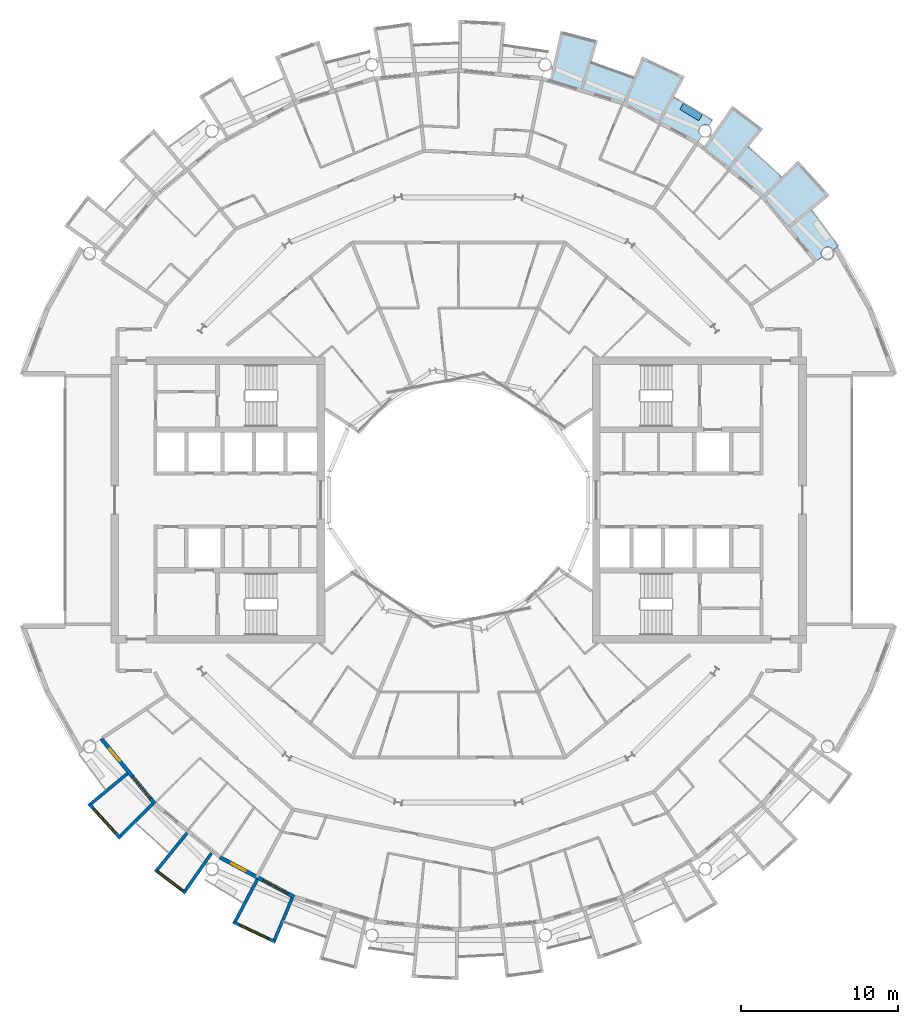
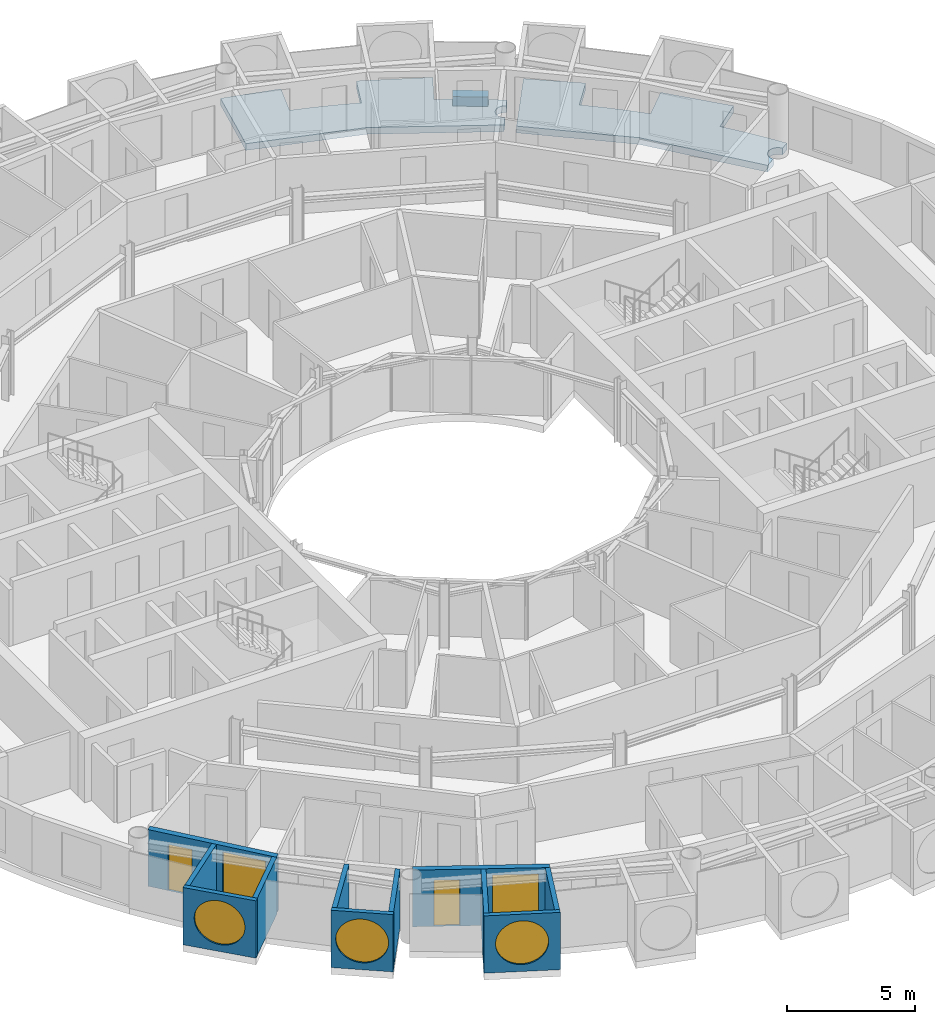
# One storey, part 13 of 28: 11 walls, 5 windows, 3 slabs, 2 doors, 7 openings.
"""IFC4 building model written with IfcOpenShell, lengths in metres."""

from ifc_helpers import new_model, si_unit, direction, frame, frame_2d, origin, place, context, subcontext, project, spatial, polyline, rectangle, circle, outline, extrude, material, layer, layer_set, type_object, element, fill, save


model = new_model("IFC4")

# Units and contexts
model_context = context("Model", 3, precision=1e-05, world=origin(), true_north=direction((0.0, 1.0)))
body_context = subcontext(model_context, "Body", "Model", "MODEL_VIEW")
ifc_project = project(units=[si_unit("LENGTHUNIT", "METRE"), si_unit("AREAUNIT", "SQUARE_METRE"), si_unit("VOLUMEUNIT", "CUBIC_METRE"), si_unit("PLANEANGLEUNIT", "RADIAN"), si_unit("MASSUNIT", "GRAM", prefix="KILO")], contexts=[model_context])

# Site, building, storey
site_placement = place(None, origin())
site = spatial("IfcSite", under=ifc_project, at=site_placement, CompositionType="ELEMENT")
building_placement = place(site_placement, origin())
building = spatial("IfcBuilding", under=site, at=building_placement, Name="Maasbend Ring Residences", CompositionType="ELEMENT")
storey_placement = place(building_placement, frame((0.0, 0.0, 173.800048828125)))
storey = spatial("IfcBuildingStorey", under=building, at=storey_placement, Name="L50", CompositionType="ELEMENT", Elevation=173.800048828125)

# Slabs
ifc_material_1 = material(Name="Planting with climbing greenery")
ifc_layer_1 = layer(ifc_material_1, 0.449951171875)
ifc_layer_set_1 = layer_set([ifc_layer_1], Name="PLANTER-LG")
slab_type_1 = type_object("IfcSlabType", Name="PLANTER-LG", PredefinedType="USERDEFINED", material=ifc_layer_set_1)
slab_1_placement = place(storey_placement, frame((0.0, 0.0, -0.030029296875)))
element("IfcSlab", 1, at=slab_1_placement, inside=storey, type_object=slab_type_1, Name="Planter with climbing greenery 2", ObjectType="PLANTER", PredefinedType="USERDEFINED", context=body_context, shape_type="SweptSolid", body=[
    extrude(outline(polyline([(15.490966796875, 24.48388671875), (14.291015625, 25.2041015625), (14.05908203125, 24.818115234375), (15.260009765625, 24.097900390625), (15.490966796875, 24.48388671875)])), origin(), (0.0, 0.0, 1.0), 0.449951171875),
])
ifc_material_2 = material(Name="Concrete C40/50", Category="concrete")
ifc_layer_2 = layer(ifc_material_2, 0.199951171875)
ifc_layer_set_2 = layer_set([ifc_layer_2], Name="Concrete C40/50")
slab_type_2 = type_object("IfcSlabType", Name="SL-LOGGIA", PredefinedType="FLOOR", material=ifc_layer_set_2)
slab_2_placement = place(storey_placement, frame((0.0, 0.0, -0.35009765625)))
element("IfcSlab", 2, at=slab_2_placement, inside=storey, type_object=slab_type_2, Name="Loggia floor 1", PredefinedType="FLOOR", context=body_context, shape_type="SweptSolid", body=[
    extrude(outline(polyline([(8.85400390625, 29.18701171875), (8.85400390625, 29.18701171875), (8.85400390625, 29.18701171875), (8.41796875, 27.751953125), (8.41796875, 27.751953125), (8.41796875, 27.751953125), (8.41796875, 27.751953125), (8.41796875, 27.751953125), (8.41796875, 27.751953125), (8.41796875, 27.7509765625), (8.41796875, 27.7509765625), (8.41796875, 27.7509765625), (8.41796875, 27.7509765625), (8.41796875, 27.7509765625), (8.4189453125, 27.7509765625), (8.4189453125, 27.7509765625), (8.4189453125, 27.7509765625), (8.4189453125, 27.7509765625), (8.4189453125, 27.7509765625), (8.4189453125, 27.7509765625), (9.322021484375, 27.4609375), (9.322021484375, 27.4609375), (10.215087890625, 27.14111328125), (10.215087890625, 27.14111328125), (11.096923828125, 26.79296875), (11.096923828125, 26.79296875), (11.096923828125, 26.79296875), (11.097900390625, 26.79296875), (11.097900390625, 26.79296875), (11.097900390625, 26.79296875), (11.097900390625, 26.79296875), (11.097900390625, 26.79296875), (11.097900390625, 26.79296875), (11.097900390625, 26.79296875), (11.097900390625, 26.79296875), (11.097900390625, 26.79296875), (11.097900390625, 26.79296875), (11.097900390625, 26.79296875), (11.097900390625, 26.79296875), (11.097900390625, 26.79296875), (11.097900390625, 26.79296875), (11.672119140625, 28.177978515625), (11.672119140625, 28.177978515625), (11.672119140625, 28.177978515625), (14.3779296875, 26.89892578125), (14.3779296875, 26.89892578125), (14.3779296875, 26.89892578125), (13.6708984375, 25.575927734375), (13.6708984375, 25.575927734375), (13.6708984375, 25.575927734375), (13.6708984375, 25.575927734375), (13.6708984375, 25.575927734375), (13.6708984375, 25.575927734375), (13.6708984375, 25.575927734375), (13.6708984375, 25.575927734375), (13.6708984375, 25.575927734375), (13.6708984375, 25.575927734375), (13.6708984375, 25.575927734375), (13.6708984375, 25.575927734375), (13.6708984375, 25.575927734375), (13.6708984375, 25.575927734375), (13.6708984375, 25.575927734375), (13.6708984375, 25.575927734375), (13.6708984375, 25.574951171875), (14.5, 25.114990234375), (14.5, 25.114990234375), (15.31396484375, 24.626953125), (15.31396484375, 24.626953125), (16.112060546875, 24.113037109375), (16.112060546875, 24.113037109375), (16.112060546875, 24.113037109375), (15.89306640625, 23.784912109375), (15.885009765625, 23.791015625), (15.8759765625, 23.7958984375), (15.866943359375, 23.801025390625), (15.85888671875, 23.805908203125), (15.85009765625, 23.81005859375), (15.841064453125, 23.81494140625), (15.83203125, 23.819091796875), (15.822998046875, 23.822998046875), (15.81298828125, 23.826904296875), (15.803955078125, 23.830078125), (15.794921875, 23.8330078125), (15.784912109375, 23.8359375), (15.77587890625, 23.839111328125), (15.76611328125, 23.842041015625), (15.756103515625, 23.843994140625), (15.74609375, 23.845947265625), (15.737060546875, 23.847900390625), (15.72705078125, 23.85009765625), (15.717041015625, 23.85107421875), (15.70703125, 23.85205078125), (15.697021484375, 23.85302734375), (15.68701171875, 23.85302734375), (15.677001953125, 23.85400390625), (15.6669921875, 23.85400390625), (15.656982421875, 23.85400390625), (15.64697265625, 23.85302734375), (15.636962890625, 23.85302734375), (15.626953125, 23.85205078125), (15.616943359375, 23.85107421875), (15.60693359375, 23.85009765625), (15.597900390625, 23.847900390625), (15.587890625, 23.845947265625), (15.577880859375, 23.843994140625), (15.568115234375, 23.842041015625), (15.55908203125, 23.839111328125), (15.549072265625, 23.8359375), (15.5400390625, 23.8330078125), (15.530029296875, 23.830078125), (15.52099609375, 23.826904296875), (15.511962890625, 23.822998046875), (15.501953125, 23.819091796875), (15.492919921875, 23.81494140625), (15.48388671875, 23.81005859375), (15.47509765625, 23.805908203125), (15.467041015625, 23.801025390625), (15.4580078125, 23.7958984375), (15.449951171875, 23.791015625), (15.44091796875, 23.784912109375), (15.43310546875, 23.780029296875), (15.425048828125, 23.77392578125), (15.4169921875, 23.76806640625), (15.408935546875, 23.761962890625), (15.402099609375, 23.7548828125), (15.39404296875, 23.7490234375), (15.386962890625, 23.741943359375), (15.3798828125, 23.735107421875), (15.373046875, 23.72802734375), (15.365966796875, 23.719970703125), (15.35888671875, 23.712890625), (15.35302734375, 23.705078125), (15.346923828125, 23.697021484375), (15.341064453125, 23.68994140625), (15.3349609375, 23.680908203125), (15.3291015625, 23.673095703125), (15.323974609375, 23.6650390625), (15.318115234375, 23.656005859375), (15.31298828125, 23.64794921875), (15.30908203125, 23.638916015625), (15.303955078125, 23.6298828125), (15.300048828125, 23.62109375), (15.294921875, 23.612060546875), (15.2919921875, 23.60302734375), (15.2880859375, 23.593994140625), (15.283935546875, 23.583984375), (15.281005859375, 23.574951171875), (15.278076171875, 23.56494140625), (15.27490234375, 23.555908203125), (15.27294921875, 23.5458984375), (15.27001953125, 23.535888671875), (15.26806640625, 23.527099609375), (15.26708984375, 23.51708984375), (15.264892578125, 23.507080078125), (15.263916015625, 23.4970703125), (15.262939453125, 23.487060546875), (15.261962890625, 23.47705078125), (15.260986328125, 23.467041015625), (15.260986328125, 23.45703125), (15.260986328125, 23.447021484375), (15.260986328125, 23.43701171875), (15.260986328125, 23.427001953125), (15.261962890625, 23.4169921875), (15.262939453125, 23.407958984375), (15.263916015625, 23.39794921875), (15.264892578125, 23.387939453125), (15.26708984375, 23.3779296875), (15.26806640625, 23.367919921875), (15.27001953125, 23.35791015625), (15.27294921875, 23.34912109375), (15.27490234375, 23.339111328125), (15.278076171875, 23.3291015625), (15.281005859375, 23.320068359375), (15.283935546875, 23.31005859375), (15.2880859375, 23.301025390625), (15.2919921875, 23.2919921875), (15.294921875, 23.282958984375), (15.300048828125, 23.27392578125), (15.303955078125, 23.264892578125), (15.30908203125, 23.256103515625), (15.31298828125, 23.2470703125), (15.318115234375, 23.238037109375), (15.323974609375, 23.22998046875), (15.3291015625, 23.221923828125), (15.3349609375, 23.212890625), (15.341064453125, 23.205078125), (15.346923828125, 23.197021484375), (15.35302734375, 23.18994140625), (15.35888671875, 23.181884765625), (15.365966796875, 23.174072265625), (15.373046875, 23.1669921875), (15.3798828125, 23.159912109375), (15.386962890625, 23.153076171875), (15.39404296875, 23.14599609375), (15.402099609375, 23.139892578125), (15.408935546875, 23.133056640625), (15.4169921875, 23.126953125), (15.425048828125, 23.12109375), (15.43310546875, 23.114990234375), (15.44091796875, 23.10888671875), (15.1669921875, 22.698974609375), (15.1669921875, 22.698974609375), (15.1669921875, 22.698974609375), (12.806884765625, 23.9609375), (10.447021484375, 25.221923828125), (10.447021484375, 25.221923828125), (10.447021484375, 25.221923828125), (7.886962890625, 25.9990234375), (5.797119140625, 26.633056640625), (5.797119140625, 26.633056640625), (5.797119140625, 26.633056640625), (6.487060546875, 29.802001953125), (6.487060546875, 29.802001953125), (6.487060546875, 29.802001953125), (8.85400390625, 29.18701171875)])), origin(), (0.0, 0.0, 1.0), 0.320068359375),
])
slab_3_placement = place(storey_placement, frame((0.0, 0.0, -0.35009765625)))
element("IfcSlab", 3, at=slab_3_placement, inside=storey, type_object=slab_type_2, Name="Loggia floor 4", PredefinedType="FLOOR", context=body_context, shape_type="SweptSolid", body=[
    extrude(outline(polyline([(19.34912109375, 23.576904296875), (19.34912109375, 23.576904296875), (19.34912109375, 23.576904296875), (18.39794921875, 22.41796875), (18.39794921875, 22.41796875), (18.39794921875, 22.41796875), (18.39794921875, 22.41796875), (18.39794921875, 22.41796875), (18.39794921875, 22.4169921875), (18.39794921875, 22.4169921875), (18.39794921875, 22.4169921875), (18.39794921875, 22.4169921875), (18.39794921875, 22.4169921875), (18.39794921875, 22.4169921875), (18.39794921875, 22.4169921875), (18.39794921875, 22.4169921875), (18.39794921875, 22.4169921875), (18.39794921875, 22.4169921875), (18.39794921875, 22.4169921875), (18.39794921875, 22.4169921875), (19.12109375, 21.802978515625), (19.12109375, 21.802978515625), (19.823974609375, 21.166015625), (19.823974609375, 21.166015625), (20.506103515625, 20.506103515625), (20.506103515625, 20.506103515625), (20.506103515625, 20.506103515625), (20.506103515625, 20.506103515625), (20.506103515625, 20.506103515625), (20.506103515625, 20.506103515625), (20.506103515625, 20.506103515625), (20.506103515625, 20.506103515625), (20.506103515625, 20.506103515625), (20.506103515625, 20.506103515625), (20.506103515625, 20.506103515625), (20.506103515625, 20.506103515625), (20.506103515625, 20.506103515625), (20.506103515625, 20.506103515625), (20.506103515625, 20.506103515625), (20.506103515625, 20.506103515625), (20.506103515625, 20.506103515625), (21.56689453125, 21.56689453125), (21.56689453125, 21.56689453125), (21.56689453125, 21.56689453125), (23.576904296875, 19.34912109375), (23.576904296875, 19.34912109375), (23.576904296875, 19.34912109375), (22.41796875, 18.39794921875), (22.41796875, 18.39794921875), (22.41796875, 18.39794921875), (22.41796875, 18.39794921875), (22.41796875, 18.39794921875), (22.41796875, 18.39794921875), (22.41796875, 18.39697265625), (22.41796875, 18.39697265625), (22.41796875, 18.39697265625), (22.41796875, 18.39697265625), (22.41796875, 18.39697265625), (22.41796875, 18.39697265625), (22.41796875, 18.39697265625), (22.41796875, 18.39697265625), (22.41796875, 18.39697265625), (22.41796875, 18.39697265625), (22.41796875, 18.39697265625), (23.007080078125, 17.654052734375), (23.007080078125, 17.654052734375), (23.572998046875, 16.89208984375), (23.572998046875, 16.89208984375), (24.113037109375, 16.112060546875), (24.113037109375, 16.112060546875), (24.113037109375, 16.112060546875), (23.784912109375, 15.89306640625), (23.784912109375, 15.89306640625), (23.780029296875, 15.90087890625), (23.77392578125, 15.908935546875), (23.76806640625, 15.9169921875), (23.761962890625, 15.925048828125), (23.7548828125, 15.93310546875), (23.7490234375, 15.93994140625), (23.741943359375, 15.947021484375), (23.735107421875, 15.955078125), (23.72802734375, 15.9619140625), (23.719970703125, 15.968017578125), (23.712890625, 15.97509765625), (23.705078125, 15.98095703125), (23.697021484375, 15.988037109375), (23.68994140625, 15.993896484375), (23.680908203125, 15.9990234375), (23.673095703125, 16.0048828125), (23.6650390625, 16.010986328125), (23.656005859375, 16.01611328125), (23.64794921875, 16.02099609375), (23.638916015625, 16.02587890625), (23.6298828125, 16.030029296875), (23.62109375, 16.034912109375), (23.612060546875, 16.0390625), (23.60302734375, 16.04296875), (23.593994140625, 16.0458984375), (23.583984375, 16.050048828125), (23.574951171875, 16.052978515625), (23.56494140625, 16.055908203125), (23.555908203125, 16.05908203125), (23.5458984375, 16.06103515625), (23.535888671875, 16.06396484375), (23.527099609375, 16.06591796875), (23.51708984375, 16.068115234375), (23.507080078125, 16.069091796875), (23.4970703125, 16.071044921875), (23.487060546875, 16.072021484375), (23.47705078125, 16.072021484375), (23.467041015625, 16.072998046875), (23.45703125, 16.072998046875), (23.447021484375, 16.073974609375), (23.43701171875, 16.072998046875), (23.427001953125, 16.072998046875), (23.4169921875, 16.072021484375), (23.407958984375, 16.072021484375), (23.39794921875, 16.071044921875), (23.387939453125, 16.069091796875), (23.3779296875, 16.068115234375), (23.367919921875, 16.06591796875), (23.35791015625, 16.06396484375), (23.34912109375, 16.06103515625), (23.339111328125, 16.05908203125), (23.3291015625, 16.055908203125), (23.320068359375, 16.052978515625), (23.31005859375, 16.050048828125), (23.301025390625, 16.0458984375), (23.2919921875, 16.04296875), (23.282958984375, 16.0390625), (23.27392578125, 16.034912109375), (23.264892578125, 16.030029296875), (23.256103515625, 16.02587890625), (23.2470703125, 16.02099609375), (23.238037109375, 16.01611328125), (23.22998046875, 16.010986328125), (23.221923828125, 16.0048828125), (23.212890625, 15.9990234375), (23.205078125, 15.993896484375), (23.197021484375, 15.988037109375), (23.18994140625, 15.98095703125), (23.181884765625, 15.97509765625), (23.174072265625, 15.968017578125), (23.1669921875, 15.9619140625), (23.159912109375, 15.955078125), (23.153076171875, 15.947021484375), (23.14599609375, 15.93994140625), (23.139892578125, 15.93310546875), (23.133056640625, 15.925048828125), (23.126953125, 15.9169921875), (23.12109375, 15.908935546875), (23.114990234375, 15.90087890625), (23.10888671875, 15.89306640625), (23.10400390625, 15.885009765625), (23.09912109375, 15.8759765625), (23.093994140625, 15.866943359375), (23.089111328125, 15.85888671875), (23.083984375, 15.85009765625), (23.080078125, 15.841064453125), (23.075927734375, 15.83203125), (23.072021484375, 15.822998046875), (23.068115234375, 15.81298828125), (23.06494140625, 15.803955078125), (23.06103515625, 15.794921875), (23.05810546875, 15.784912109375), (23.055908203125, 15.77587890625), (23.052978515625, 15.76611328125), (23.051025390625, 15.756103515625), (23.049072265625, 15.74609375), (23.047119140625, 15.737060546875), (23.044921875, 15.72705078125), (23.0439453125, 15.717041015625), (23.04296875, 15.70703125), (23.0419921875, 15.697021484375), (23.041015625, 15.68701171875), (23.041015625, 15.677001953125), (23.041015625, 15.6669921875), (23.041015625, 15.656982421875), (23.041015625, 15.64697265625), (23.0419921875, 15.636962890625), (23.04296875, 15.626953125), (23.0439453125, 15.616943359375), (23.044921875, 15.60693359375), (23.047119140625, 15.597900390625), (23.049072265625, 15.587890625), (23.051025390625, 15.577880859375), (23.052978515625, 15.568115234375), (23.055908203125, 15.55908203125), (23.05810546875, 15.549072265625), (23.06103515625, 15.5400390625), (23.06494140625, 15.530029296875), (23.068115234375, 15.52099609375), (23.072021484375, 15.511962890625), (23.075927734375, 15.501953125), (23.080078125, 15.492919921875), (23.083984375, 15.48388671875), (23.089111328125, 15.47509765625), (23.093994140625, 15.467041015625), (23.09912109375, 15.4580078125), (23.10400390625, 15.449951171875), (23.10888671875, 15.44091796875), (23.10888671875, 15.44091796875), (22.698974609375, 15.1669921875), (22.698974609375, 15.1669921875), (22.698974609375, 15.1669921875), (21.001953125, 17.236083984375), (19.303955078125, 19.303955078125), (19.303955078125, 19.303955078125), (19.303955078125, 19.303955078125), (17.236083984375, 21.001953125), (15.547119140625, 22.386962890625), (15.547119140625, 22.386962890625), (15.547119140625, 22.386962890625), (17.39794921875, 25.051025390625), (17.39794921875, 25.051025390625), (17.39794921875, 25.051025390625), (19.34912109375, 23.576904296875)])), origin(), (0.0, 0.0, 1.0), 0.320068359375),
])

# Wall, opening, window
ifc_material_3 = material(Name="Pale anodised aluminium panel", Category="aluminium")
ifc_layer_3 = layer(ifc_material_3, 0.199951171875)
ifc_layer_set_3 = layer_set([ifc_layer_3], Name="EW-BOX")
wall_type_1 = type_object("IfcWallType", Name="EW-BOX", PredefinedType="SOLIDWALL", material=ifc_layer_set_3)
wall_1_placement = place(storey_placement, frame((-23.5029296875, -19.281982421875, -0.030029296875), z_axis=(0.0, 0.0, 1.0), x_axis=(0.671506829416, -0.740998365753, 0.0)))
wall_1 = element("IfcWall", 4, at=wall_1_placement, inside=storey, type_object=wall_type_1, Name="Box front S02", PredefinedType="SOLIDWALL", context=body_context, shape_type="SweptSolid", body=[
    extrude(rectangle(XDim=2.9931640625, YDim=0.199951171875, at=frame_2d((1.49658203125, 0.0))), origin(), (0.0, 0.0, 1.0), 2.72998046875),
])
opening_1_placement = place(wall_1_placement, frame((0.45654296875, 0.0, 0.330078125)))
opening_1 = element("IfcOpeningElement", 5, at=opening_1_placement, cuts=wall_1, Name="Opening W-RD", PredefinedType="OPENING", context=body_context, shape_type="SweptSolid", body=[
    extrude(circle(Radius=1.0400390625, at=frame_2d((1.0400390625, 1.0400390625))), frame((0.0, 0.10986328125, 0.0), z_axis=(0.0, -1.0, 0.0), x_axis=(1.0, 0.0, 0.0)), (0.0, 0.0, 1.0), 0.219970703125),
])
ifc_material_4 = material(Name="Aluminium and clear glass", Category="aluminium")
window_type_1 = type_object("IfcWindowType", Name="W-RD", PartitioningType="SINGLE_PANEL", PredefinedType="WINDOW", material=ifc_material_4)
window_1_placement = place(opening_1_placement, origin())
window_1 = element("IfcWindow", 6, at=window_1_placement, inside=storey, type_object=window_type_1, Name="Round window S02", OverallHeight=2.080078125, OverallWidth=2.080078125, PartitioningType="SINGLE_PANEL", PredefinedType="WINDOW", context=body_context, shape_type="SweptSolid", body=[
    extrude(circle(Radius=1.0400390625, at=frame_2d((1.0400390625, 1.0400390625))), frame((0.0, 0.030029296875, 0.0), z_axis=(0.0, -1.0, 0.0), x_axis=(1.0, 0.0, 0.0)), (0.0, 0.0, 1.0), 0.06005859375),
])
fill(opening_1, window_1)

# Walls
wall_2_placement = place(storey_placement, frame((-21.041015625, -17.384033203125, -0.030029296875), z_axis=(0.0, 0.0, 1.0), x_axis=(-0.770784861449, -0.63709551667, 0.0)))
element("IfcWall", 7, at=wall_2_placement, inside=storey, type_object=wall_type_1, Name="Box side wall S02 left", PredefinedType="SOLIDWALL", context=body_context, shape_type="SweptSolid", body=[
    extrude(rectangle(XDim=3.005859375, YDim=0.199951171875, at=frame_2d((1.5029296875, 0.0))), origin(), (0.0, 0.0, 1.0), 2.72998046875),
])
wall_3_placement = place(storey_placement, frame((-19.449951171875, -19.322998046875, -0.030029296875), z_axis=(0.0, 0.0, 1.0), x_axis=(-0.709727076896, -0.704476739375, 0.0)))
element("IfcWall", 8, at=wall_3_placement, inside=storey, type_object=wall_type_1, Name="Box side wall S02 right", PredefinedType="SOLIDWALL", context=body_context, shape_type="SweptSolid", body=[
    extrude(rectangle(XDim=2.883056640625, YDim=0.199951171875, at=frame_2d((1.44140625, 0.0))), origin(), (0.0, 0.0, 1.0), 2.72998046875),
])

# Wall, opening, window
wall_4_placement = place(storey_placement, frame((-19.2890625, -23.4970703125, -0.030029296875), z_axis=(0.0, 0.0, 1.0), x_axis=(0.797887588059, -0.602806268067, 0.0)))
wall_4 = element("IfcWall", 9, at=wall_4_placement, inside=storey, type_object=wall_type_1, Name="Box front S04", PredefinedType="SOLIDWALL", context=body_context, shape_type="SweptSolid", body=[
    extrude(rectangle(XDim=2.446533203125, YDim=0.199951171875, at=frame_2d((1.22314453125, 0.0))), origin(), (0.0, 0.0, 1.0), 2.72998046875),
])
opening_2_placement = place(wall_4_placement, frame((0.182861328125, 0.0, 0.330078125)))
opening_2 = element("IfcOpeningElement", 10, at=opening_2_placement, cuts=wall_4, Name="Opening W-RD", PredefinedType="OPENING", context=body_context, shape_type="SweptSolid", body=[
    extrude(circle(Radius=1.0400390625, at=frame_2d((1.0400390625, 1.0400390625))), frame((0.0, 0.10986328125, 0.0), z_axis=(0.0, -1.0, 0.0), x_axis=(1.0, 0.0, 0.0)), (0.0, 0.0, 1.0), 0.219970703125),
])
window_2_placement = place(opening_2_placement, origin())
window_2 = element("IfcWindow", 11, at=window_2_placement, inside=storey, type_object=window_type_1, Name="Round window S04", OverallHeight=2.080078125, OverallWidth=2.080078125, PartitioningType="SINGLE_PANEL", PredefinedType="WINDOW", context=body_context, shape_type="SweptSolid", body=[
    extrude(circle(Radius=1.0400390625, at=frame_2d((1.0400390625, 1.0400390625))), frame((0.0, 0.030029296875, 0.0), z_axis=(0.0, -1.0, 0.0), x_axis=(1.0, 0.0, 0.0)), (0.0, 0.0, 1.0), 0.06005859375),
])
fill(opening_2, window_2)

# Walls
wall_5_placement = place(storey_placement, frame((-17.24609375, -21.155029296875, -0.030029296875), z_axis=(0.0, 0.0, 1.0), x_axis=(-0.631741648902, -0.775179004516, 0.0)))
element("IfcWall", 12, at=wall_5_placement, inside=storey, type_object=wall_type_1, Name="Box side wall S04 left", PredefinedType="SOLIDWALL", context=body_context, shape_type="SweptSolid", body=[
    extrude(rectangle(XDim=3.005859375, YDim=0.199951171875, at=frame_2d((1.5029296875, 0.0))), origin(), (0.0, 0.0, 1.0), 2.72998046875),
])
wall_6_placement = place(storey_placement, frame((-15.68798828125, -22.43310546875, -0.030029296875), z_axis=(0.0, 0.0, 1.0), x_axis=(-0.573260687834, -0.819373043115, 0.0)))
element("IfcWall", 13, at=wall_6_placement, inside=storey, type_object=wall_type_1, Name="Box side wall S04 right", PredefinedType="SOLIDWALL", context=body_context, shape_type="SweptSolid", body=[
    extrude(rectangle(XDim=2.92529296875, YDim=0.199951171875, at=frame_2d((1.462646484375, 0.0))), origin(), (0.0, 0.0, 1.0), 2.72998046875),
])

# Wall, opening, window
wall_7_placement = place(storey_placement, frame((-14.3349609375, -26.80810546875, -0.030029296875), z_axis=(0.0, 0.0, 1.0), x_axis=(0.904000060331, -0.427532327342, 0.0)))
wall_7 = element("IfcWall", 14, at=wall_7_placement, inside=storey, type_object=wall_type_1, Name="Box front S06", PredefinedType="SOLIDWALL", context=body_context, shape_type="SweptSolid", body=[
    extrude(rectangle(XDim=2.993408203125, YDim=0.199951171875, at=frame_2d((1.49658203125, 0.0))), origin(), (0.0, 0.0, 1.0), 2.72998046875),
])
opening_3_placement = place(wall_7_placement, frame((0.45654296875, 0.0, 0.330078125)))
opening_3 = element("IfcOpeningElement", 15, at=opening_3_placement, cuts=wall_7, Name="Opening W-RD", PredefinedType="OPENING", context=body_context, shape_type="SweptSolid", body=[
    extrude(circle(Radius=1.0400390625, at=frame_2d((1.0400390625, 1.0400390625))), frame((0.0, 0.10986328125, 0.0), z_axis=(0.0, -1.0, 0.0), x_axis=(1.0, 0.0, 0.0)), (0.0, 0.0, 1.0), 0.219970703125),
])
window_3_placement = place(opening_3_placement, origin())
window_3 = element("IfcWindow", 16, at=window_3_placement, inside=storey, type_object=window_type_1, Name="Round window S06", OverallHeight=2.080078125, OverallWidth=2.080078125, PartitioningType="SINGLE_PANEL", PredefinedType="WINDOW", context=body_context, shape_type="SweptSolid", body=[
    extrude(circle(Radius=1.0400390625, at=frame_2d((1.0400390625, 1.0400390625))), frame((0.0, 0.030029296875, 0.0), z_axis=(0.0, -1.0, 0.0), x_axis=(1.0, 0.0, 0.0)), (0.0, 0.0, 1.0), 0.06005859375),
])
fill(opening_3, window_3)

# Walls
wall_8_placement = place(storey_placement, frame((-12.787109375, -24.113037109375, -0.030029296875), z_axis=(0.0, 0.0, 1.0), x_axis=(-0.468365282436, -0.883534924159, 0.0)))
element("IfcWall", 17, at=wall_8_placement, inside=storey, type_object=wall_type_1, Name="Box side wall S06 left", PredefinedType="SOLIDWALL", context=body_context, shape_type="SweptSolid", body=[
    extrude(rectangle(XDim=3.006103515625, YDim=0.199951171875, at=frame_2d((1.5029296875, 0.0))), origin(), (0.0, 0.0, 1.0), 2.72998046875),
])
wall_9_placement = place(storey_placement, frame((-10.574951171875, -25.294921875, -0.030029296875), z_axis=(0.0, 0.0, 1.0), x_axis=(-0.385697364644, -0.922625353492, 0.0)))
element("IfcWall", 18, at=wall_9_placement, inside=storey, type_object=wall_type_1, Name="Box side wall S06 right", PredefinedType="SOLIDWALL", context=body_context, shape_type="SweptSolid", body=[
    extrude(rectangle(XDim=2.88330078125, YDim=0.199951171875, at=frame_2d((1.441650390625, 0.0))), origin(), (0.0, 0.0, 1.0), 2.72998046875),
])

# Wall, openings, door, window
ifc_material_5 = material(Name="Aluminium clad insulated panel", Category="aluminium")
ifc_layer_4 = layer(ifc_material_5, 0.25)
ifc_layer_set_4 = layer_set([ifc_layer_4], Name="EW-GL")
wall_type_2 = type_object("IfcWallType", Name="EW-GL", PredefinedType="SOLIDWALL", material=ifc_layer_set_4)
wall_10_placement = place(storey_placement, frame((-22.698974609375, -15.1669921875, 0.0), z_axis=(0.0, 0.0, 1.0), x_axis=(0.634382322723, -0.773019449054, 0.0)))
wall_10 = element("IfcWall", 19, at=wall_10_placement, inside=storey, type_object=wall_type_2, Name="External wall S01", PredefinedType="SOLIDWALL", context=body_context, shape_type="SweptSolid", body=[
    extrude(rectangle(XDim=5.351806640625, YDim=0.25, at=frame_2d((2.67578125, 0.0))), origin(), (0.0, 0.0, 1.0), 2.699951171875),
])
opening_4_placement = place(wall_10_placement, frame((0.841064453125, 0.0, 0.0)))
opening_4 = element("IfcOpeningElement", 20, at=opening_4_placement, cuts=wall_10, Name="Opening D-LG", PredefinedType="OPENING", context=body_context, shape_type="SweptSolid", body=[
    extrude(rectangle(XDim=1.0, YDim=2.199951171875, at=frame_2d((0.5, 1.10009765625))), frame((0.0, 0.135009765625, 0.0), z_axis=(0.0, -1.0, 0.0), x_axis=(1.0, 0.0, 0.0)), (0.0, 0.0, 1.0), 0.27001953125),
])
opening_5_placement = place(wall_10_placement, frame((3.110595703125, 0.0, 0.300048828125)))
opening_5 = element("IfcOpeningElement", 21, at=opening_5_placement, cuts=wall_10, Name="Opening W-BX", PredefinedType="OPENING", context=body_context, shape_type="SweptSolid", body=[
    extrude(rectangle(XDim=1.800048828125, YDim=2.10009765625, at=frame_2d((0.89990234375, 1.050048828125))), frame((0.0, 0.135009765625, 0.0), z_axis=(0.0, -1.0, 0.0), x_axis=(1.0, 0.0, 0.0)), (0.0, 0.0, 1.0), 0.27001953125),
])
ifc_material_6 = material(Name="Aluminium and clear glass", Category="aluminium")
door_type = type_object("IfcDoorType", Name="D-LG", OperationType="SINGLE_SWING_LEFT", PredefinedType="DOOR", material=ifc_material_6)
door_1_placement = place(opening_4_placement, origin())
door_1 = element("IfcDoor", 22, at=door_1_placement, inside=storey, type_object=door_type, Name="Loggia door S01", OperationType="SINGLE_SWING_LEFT", OverallHeight=2.199951171875, OverallWidth=1.0, PredefinedType="DOOR", context=body_context, shape_type="SweptSolid", body=[
    extrude(rectangle(XDim=1.0, YDim=2.199951171875, at=frame_2d((0.5, 1.10009765625))), frame((0.0, 0.02490234375, 0.0), z_axis=(0.0, -1.0, 0.0), x_axis=(1.0, 0.0, 0.0)), (0.0, 0.0, 1.0), 0.050048828125),
])
fill(opening_4, door_1)
ifc_material_7 = material(Name="Aluminium and clear glass", Category="aluminium")
window_type_2 = type_object("IfcWindowType", Name="W-BX", PartitioningType="DOUBLE_PANEL_VERTICAL", PredefinedType="WINDOW", material=ifc_material_7)
window_4_placement = place(opening_5_placement, origin())
window_4 = element("IfcWindow", 23, at=window_4_placement, inside=storey, type_object=window_type_2, Name="Window S02 room to box", OverallHeight=2.10009765625, OverallWidth=1.800048828125, PartitioningType="SINGLE_PANEL", PredefinedType="WINDOW", context=body_context, shape_type="SweptSolid", body=[
    extrude(rectangle(XDim=1.800048828125, YDim=2.10009765625, at=frame_2d((0.89990234375, 1.050048828125))), frame((0.0, 0.030029296875, 0.0), z_axis=(0.0, -1.0, 0.0), x_axis=(1.0, 0.0, 0.0)), (0.0, 0.0, 1.0), 0.06005859375),
])
fill(opening_5, window_4)

wall_11_placement = place(storey_placement, frame((-15.1669921875, -22.698974609375, 0.0), z_axis=(0.0, 0.0, 1.0), x_axis=(0.881915646801, -0.471407246368, 0.0)))
wall_11 = element("IfcWall", 24, at=wall_11_placement, inside=storey, type_object=wall_type_2, Name="External wall S03", PredefinedType="SOLIDWALL", context=body_context, shape_type="SweptSolid", body=[
    extrude(rectangle(XDim=5.35205078125, YDim=0.25, at=frame_2d((2.676025390625, 0.0))), origin(), (0.0, 0.0, 1.0), 2.699951171875),
])
opening_6_placement = place(wall_11_placement, frame((0.841064453125, 0.0, 0.0)))
opening_6 = element("IfcOpeningElement", 25, at=opening_6_placement, cuts=wall_11, Name="Opening D-LG", PredefinedType="OPENING", context=body_context, shape_type="SweptSolid", body=[
    extrude(rectangle(XDim=1.0, YDim=2.199951171875, at=frame_2d((0.5, 1.10009765625))), frame((0.0, 0.135009765625, 0.0), z_axis=(0.0, -1.0, 0.0), x_axis=(1.0, 0.0, 0.0)), (0.0, 0.0, 1.0), 0.27001953125),
])
opening_7_placement = place(wall_11_placement, frame((3.110595703125, 0.0, 0.300048828125)))
opening_7 = element("IfcOpeningElement", 26, at=opening_7_placement, cuts=wall_11, Name="Opening W-BX", PredefinedType="OPENING", context=body_context, shape_type="SweptSolid", body=[
    extrude(rectangle(XDim=1.800048828125, YDim=2.10009765625, at=frame_2d((0.89990234375, 1.050048828125))), frame((0.0, 0.135009765625, 0.0), z_axis=(0.0, -1.0, 0.0), x_axis=(1.0, 0.0, 0.0)), (0.0, 0.0, 1.0), 0.27001953125),
])
door_2_placement = place(opening_6_placement, origin())
door_2 = element("IfcDoor", 27, at=door_2_placement, inside=storey, type_object=door_type, Name="Loggia door S05", OperationType="SINGLE_SWING_LEFT", OverallHeight=2.199951171875, OverallWidth=1.0, PredefinedType="DOOR", context=body_context, shape_type="SweptSolid", body=[
    extrude(rectangle(XDim=1.0, YDim=2.199951171875, at=frame_2d((0.5, 1.10009765625))), frame((0.0, 0.02490234375, 0.0), z_axis=(0.0, -1.0, 0.0), x_axis=(1.0, 0.0, 0.0)), (0.0, 0.0, 1.0), 0.050048828125),
])
fill(opening_6, door_2)
window_5_placement = place(opening_7_placement, origin())
window_5 = element("IfcWindow", 28, at=window_5_placement, inside=storey, type_object=window_type_2, Name="Window S06 room to box", OverallHeight=2.10009765625, OverallWidth=1.800048828125, PartitioningType="SINGLE_PANEL", PredefinedType="WINDOW", context=body_context, shape_type="SweptSolid", body=[
    extrude(rectangle(XDim=1.800048828125, YDim=2.10009765625, at=frame_2d((0.89990234375, 1.050048828125))), frame((0.0, 0.030029296875, 0.0), z_axis=(0.0, -1.0, 0.0), x_axis=(1.0, 0.0, 0.0)), (0.0, 0.0, 1.0), 0.06005859375),
])
fill(opening_7, window_5)

save(model, "model.ifc")
